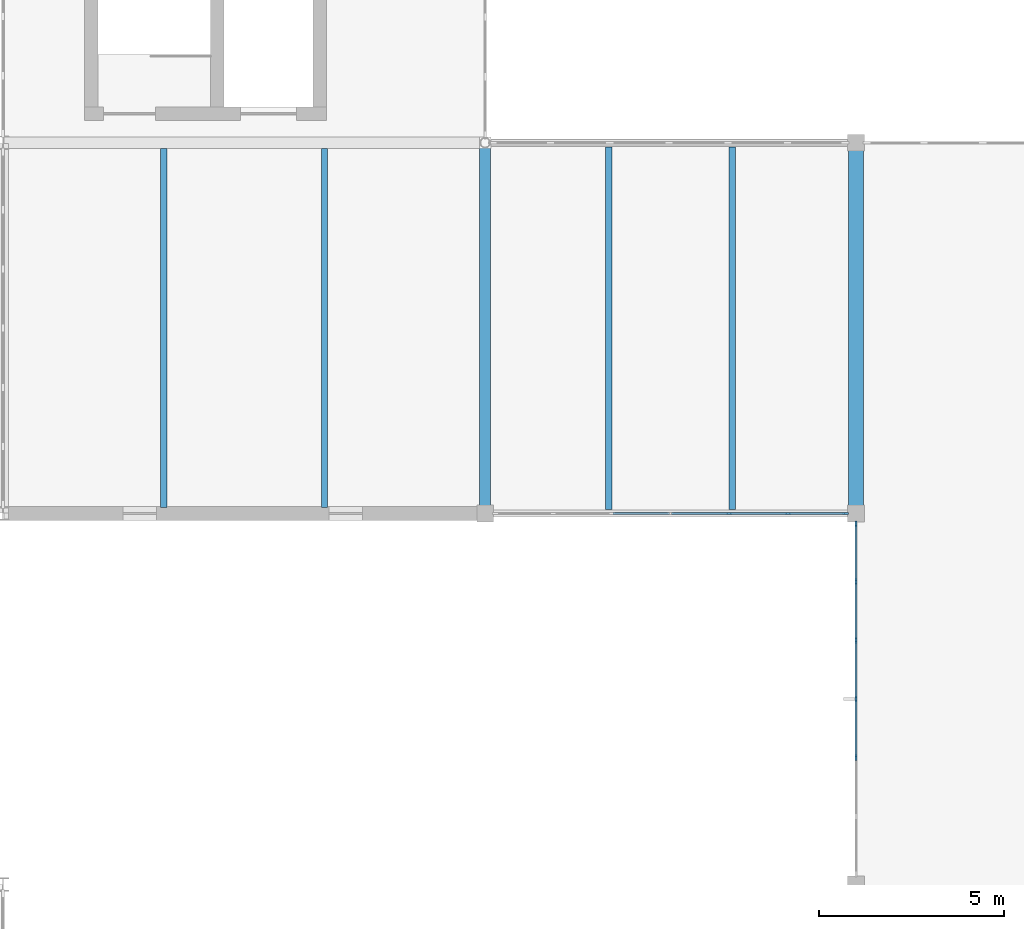
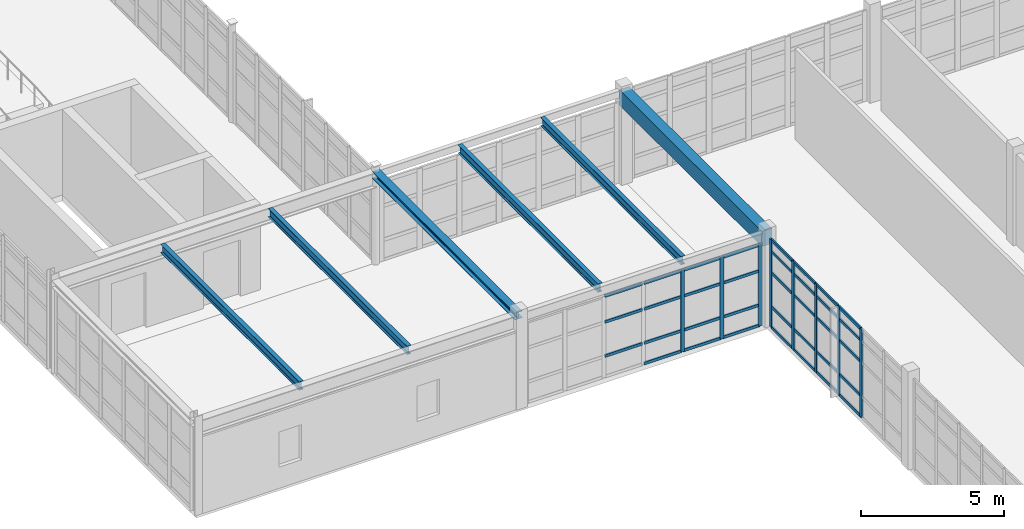
# One storey, part 64 of 122: 43 members, 6 beams, 2 elements without a shape of their own.
"""IFC4 building model written with IfcOpenShell, lengths in metres."""

import ifcopenshell
import ifcopenshell.guid

model = None  # the IFC model being written
_history = None  # IfcOwnerHistory: only IFC2X3 demands one
_inside = {}  # id of a spatial element -> (the spatial element, [elements in it])
_under = {}  # id of a project, library or spatial element -> (it, [spatial elements below it])
_declared = {}  # id of a project -> (the project, [libraries it declares])
_typed = {}  # id of a type object -> (the type object, [elements of that type])
_made_of = {}  # id of a material, layer set ... -> (it, [elements and type objects made of it])


def new_model(schema):
    """Start an empty IFC model of exactly this schema.

    Asked for "IFC4X3", IfcOpenShell would pick the latest addendum, in which some entities
    have other attributes; the version numbers below select the first issue.
    IFC2X3 requires an IfcOwnerHistory on every rooted entity: one is made here for all.
    """
    global model, _history
    if schema == "IFC4X3":
        model = ifcopenshell.file(schema_version=(4, 3, 0, 0))
    else:
        model = ifcopenshell.file(schema=schema)
    _inside.clear()
    _under.clear()
    _declared.clear()
    _typed.clear()
    _made_of.clear()
    _history = None
    if model.schema == "IFC2X3":
        org = make("IfcOrganization", Name="unknown")
        user = make(
            "IfcPersonAndOrganization",
            ThePerson=make("IfcPerson", FamilyName="unknown"),
            TheOrganization=org,
        )
        app = make(
            "IfcApplication",
            ApplicationDeveloper=org,
            Version="unknown",
            ApplicationFullName="unknown",
            ApplicationIdentifier="unknown",
        )
        _history = make(
            "IfcOwnerHistory",
            OwningUser=user,
            OwningApplication=app,
            ChangeAction="ADDED",
            CreationDate=0,
        )
    return model


def make(cls, **values):
    """One entity of the class cls with the attributes given. An attribute that is None is left unset."""
    return model.create_entity(
        cls, **{name: value for name, value in values.items() if value is not None}
    )


def rooted(cls, **values):
    """An entity with a GlobalId (a new one), such as an element, a storey or a relation."""
    return make(cls, GlobalId=ifcopenshell.guid.new(), OwnerHistory=_history, **values)


def si_unit(unit_type, name, prefix=None):
    """IfcSIUnit, for example si_unit("LENGTHUNIT", "METRE", prefix="MILLI")."""
    return make("IfcSIUnit", UnitType=unit_type, Prefix=prefix, Name=name)


def assignment(units):
    """IfcUnitAssignment: the units of a project."""
    return None if units is None else make("IfcUnitAssignment", Units=units)


def point(xyz):
    """IfcCartesianPoint."""
    return None if xyz is None else make("IfcCartesianPoint", Coordinates=xyz)


def direction(xyz):
    """IfcDirection."""
    return None if xyz is None else make("IfcDirection", DirectionRatios=xyz)


def frame(location, z_axis=None, x_axis=None):
    """IfcAxis2Placement3D, a coordinate frame: its origin and axes. An axis left out is left unset."""
    return make(
        "IfcAxis2Placement3D",
        Location=point(location),
        Axis=direction(z_axis),
        RefDirection=direction(x_axis),
    )


def frame_2d(location, x_axis=None):
    """IfcAxis2Placement2D, a coordinate frame in the plane: its origin and x axis."""
    return make(
        "IfcAxis2Placement2D", Location=point(location), RefDirection=direction(x_axis)
    )


def origin():
    """The frame at (0, 0, 0) with its axes left unset."""
    return frame((0.0, 0.0, 0.0))


def origin_2d():
    """The frame at (0, 0) in the plane with its x axis left unset."""
    return frame_2d((0.0, 0.0))


def place(relative_to, where):
    """IfcLocalPlacement: puts the frame where relative to a parent placement (None: the world)."""
    return make(
        "IfcLocalPlacement", PlacementRelTo=relative_to, RelativePlacement=where
    )


def context(
    kind, dimensions, precision=None, world=None, true_north=None, identifier=None
):
    """IfcGeometricRepresentationContext, for example the 3D "Model" context."""
    return make(
        "IfcGeometricRepresentationContext",
        ContextIdentifier=identifier,
        ContextType=kind,
        CoordinateSpaceDimension=dimensions,
        Precision=precision,
        WorldCoordinateSystem=world,
        TrueNorth=true_north,
    )


def subcontext(parent, identifier, kind, view, scale=None):
    """IfcGeometricRepresentationSubContext, for example "Body" below "Model"."""
    return make(
        "IfcGeometricRepresentationSubContext",
        ContextIdentifier=identifier,
        ContextType=kind,
        ParentContext=parent,
        TargetScale=scale,
        TargetView=view,
    )


def project(units=None, contexts=None):
    """IfcProject with its units and contexts."""
    return rooted(
        "IfcProject",
        Name="project",
        RepresentationContexts=contexts,
        UnitsInContext=assignment(units),
    )


def spatial(cls, under=None, at=None, **own):
    """A site, building, storey or space (cls), placed at a placement, below another one or the project."""
    s = rooted(cls, ObjectPlacement=at, **own)
    if under is not None:
        _under.setdefault(under.id(), (under, []))[1].append(s)
    return s


def profile(cls, at=None, kind="AREA", **sizes):
    """A parametric profile (cls). Its sizes go by their IFC names, for example OverallWidth=200.0."""
    return make(cls, ProfileType=kind, Position=at, **sizes)


def rectangle(**sizes):
    """IfcRectangleProfileDef."""
    return profile("IfcRectangleProfileDef", **sizes)


def i_section(**sizes):
    """IfcIShapeProfileDef."""
    return profile("IfcIShapeProfileDef", **sizes)


def extrude(swept, where, along, depth):
    """IfcExtrudedAreaSolid: the profile swept, set in the frame where, extruded along a direction by depth."""
    return make(
        "IfcExtrudedAreaSolid",
        SweptArea=swept,
        Position=where,
        ExtrudedDirection=direction(along),
        Depth=depth,
    )


def shape(context_of_items, identifier, shape_type, items):
    """IfcShapeRepresentation: the items that make up one representation, for example the "Body"."""
    return make(
        "IfcShapeRepresentation",
        ContextOfItems=context_of_items,
        RepresentationIdentifier=identifier,
        RepresentationType=shape_type,
        Items=items,
    )


def material(Name=None, Category=None):
    """IfcMaterial."""
    return make("IfcMaterial", Name=Name, Category=Category)


def layer(
    of_material, thickness, ventilated=None, Name=None, Category=None, Priority=None
):
    """IfcMaterialLayer: one layer of a wall or slab, of a material (None: an air gap)."""
    return make(
        "IfcMaterialLayer",
        Material=of_material,
        LayerThickness=thickness,
        IsVentilated=ventilated,
        Name=Name,
        Category=Category,
        Priority=Priority,
    )


def layer_set(layers, Name=None):
    """IfcMaterialLayerSet."""
    return make("IfcMaterialLayerSet", MaterialLayers=layers, LayerSetName=Name)


def material_profile(
    of_material, cross_section, Name=None, Category=None, Priority=None
):
    """IfcMaterialProfile: a cross section and its material."""
    return make(
        "IfcMaterialProfile",
        Name=Name,
        Material=of_material,
        Profile=cross_section,
        Priority=Priority,
        Category=Category,
    )


def profile_set(profiles, Name=None, composite=None):
    """IfcMaterialProfileSet."""
    return make(
        "IfcMaterialProfileSet",
        Name=Name,
        MaterialProfiles=profiles,
        CompositeProfile=composite,
    )


def made_of(thing, what):
    """Note that an element or type object is made of a material, layer set ...; save() writes the relation."""
    if what is not None:
        _made_of.setdefault(what.id(), (what, []))[1].append(thing)
    return thing


def type_object(cls, material=None, **own):
    """A type object (cls), such as IfcWallType, which elements share."""
    return made_of(rooted(cls, **own), material)


def element(
    cls,
    number,
    at=None,
    inside=None,
    cuts=None,
    type_object=None,
    material=None,
    context=None,
    identifier="Body",
    shape_type=None,
    held_by="IfcProductDefinitionShape",
    body=None,
    shapes=None,
    **own,
):
    """One element of the class cls, such as IfcWall. Its Tag is "e" and its number.

    at: its placement. inside: the storey or other place that contains it. cuts: it is an
    opening in that element (IfcRelVoidsElement). A single representation is given by context,
    identifier, shape_type and body (its items); several are given by shapes. held_by: the class
    of the entity that holds the representations. save() writes the other relations.
    """
    e = rooted(cls, Tag="e%d" % number, ObjectPlacement=at, **own)
    if body is not None:
        shapes = [shape(context, identifier, shape_type, body)]
    if shapes is not None:
        e.Representation = make(held_by, Representations=shapes)
    if inside is not None:
        _inside.setdefault(inside.id(), (inside, []))[1].append(e)
    if cuts is not None:
        rooted(
            "IfcRelVoidsElement", RelatingBuildingElement=cuts, RelatedOpeningElement=e
        )
    if type_object is not None:
        _typed.setdefault(type_object.id(), (type_object, []))[1].append(e)
    return made_of(e, material)


def aggregate(whole, parts):
    """IfcRelAggregates: a whole, such as a stair, and the parts it consists of."""
    return rooted("IfcRelAggregates", RelatingObject=whole, RelatedObjects=parts)


def save(model, path):
    """Write the relations noted so far, then the file.

    IfcRelAggregates (storeys below a building ...), IfcRelContainedInSpatialStructure (elements
    in a storey), IfcRelDefinesByType, IfcRelAssociatesMaterial and IfcRelDeclares: one each for
    every whole, place, type object, material and project.
    """
    for whole, parts in _under.values():
        aggregate(whole, parts)
    for where, things in _inside.values():
        rooted(
            "IfcRelContainedInSpatialStructure",
            RelatedElements=things,
            RelatingStructure=where,
        )
    for kind, things in _typed.values():
        rooted("IfcRelDefinesByType", RelatedObjects=things, RelatingType=kind)
    for what, things in _made_of.values():
        rooted("IfcRelAssociatesMaterial", RelatedObjects=things, RelatingMaterial=what)
    for by, libraries in _declared.values():
        rooted("IfcRelDeclares", RelatingContext=by, RelatedDefinitions=libraries)
    model.write(path)


model = new_model("IFC4")

# Units and contexts
model_context = context("Model", 3, precision=1e-05, world=origin(), true_north=direction((0.0, 1.0)))
body_context = subcontext(model_context, "Body", "Model", "MODEL_VIEW")
ifc_project = project(units=[si_unit("LENGTHUNIT", "METRE"), si_unit("AREAUNIT", "SQUARE_METRE"), si_unit("VOLUMEUNIT", "CUBIC_METRE"), si_unit("PLANEANGLEUNIT", "RADIAN"), si_unit("MASSUNIT", "GRAM", prefix="KILO"), si_unit("THERMODYNAMICTEMPERATUREUNIT", "KELVIN"), si_unit("POWERUNIT", "WATT")], contexts=[model_context])

# Site, building, storey
site_placement = place(None, origin())
site = spatial("IfcSite", under=ifc_project, at=site_placement, CompositionType="ELEMENT")
building_placement = place(site_placement, origin())
building = spatial("IfcBuilding", under=site, at=building_placement, Name="Korenveer Ferry Terminal", CompositionType="ELEMENT")
storey_placement = place(building_placement, frame((0.0, 0.0, 10.199951171875)))
storey = spatial("IfcBuildingStorey", under=building, at=storey_placement, Name="L02", CompositionType="ELEMENT", Elevation=10.199951171875)

# Curtain wall, members
ifc_material_1 = material(Name="Unitised bronze-and-glass curtain wall", Category="glass")
ifc_layer_1 = layer(ifc_material_1, 0.159912109375)
ifc_layer_set_1 = layer_set([ifc_layer_1], Name="Unitised bronze-and-glass curtain wall")
curtain_wall_type_1 = type_object("IfcCurtainWallType", Name="ENV-CW-89", PredefinedType="USERDEFINED", material=ifc_layer_set_1)
curtain_wall_1_placement = place(storey_placement, frame((136.2548828125, 70.0, 0.0)))
curtain_wall_1 = element("IfcCurtainWall", 1, at=curtain_wall_1_placement, inside=storey, type_object=curtain_wall_type_1, Name="Lancet curtain wall CWX-L02-X136-146-Y70-70", ObjectType="UNITISED CURTAIN WALL", PredefinedType="USERDEFINED")
ifc_material_2 = material(Name="Anodised bronze aluminium", Category="aluminium")
ifc_material_profile_1 = material_profile(ifc_material_2, rectangle(XDim=0.06005859375, YDim=0.159912109375, at=origin_2d()), Name="ALU 60x160")
ifc_profile_set_1 = profile_set([ifc_material_profile_1], Name="Anodised bronze aluminium")
member_type_1 = type_object("IfcMemberType", Name="ENV-CWM-60X160", PredefinedType="MULLION", material=ifc_profile_set_1)
member_1_placement = place(storey_placement, frame((142.581787109375, 70.0, 0.0), z_axis=(0.0, 0.0, 1.0), x_axis=(0.0, 1.0, 0.0)))
member_1 = element("IfcMember", 2, at=member_1_placement, type_object=member_type_1, Name="CW-89 mullion 5", PredefinedType="MULLION", context=body_context, shape_type="SweptSolid", body=[
    extrude(rectangle(XDim=0.06005859375, YDim=0.159912109375, at=origin_2d()), origin(), (0.0, 0.0, 1.0), 3.47998046875),
])
member_2_placement = place(storey_placement, frame((144.163330078125, 70.0, 0.0), z_axis=(0.0, 0.0, 1.0), x_axis=(0.0, 1.0, 0.0)))
member_2 = element("IfcMember", 3, at=member_2_placement, type_object=member_type_1, Name="CW-89 mullion 6", PredefinedType="MULLION", context=body_context, shape_type="SweptSolid", body=[
    extrude(rectangle(XDim=0.06005859375, YDim=0.159912109375, at=origin_2d()), origin(), (0.0, 0.0, 1.0), 3.47998046875),
])
member_3_placement = place(storey_placement, frame((145.715087890625, 70.0, 0.0), z_axis=(0.0, 0.0, 1.0), x_axis=(0.0, 1.0, 0.0)))
member_3 = element("IfcMember", 4, at=member_3_placement, type_object=member_type_1, Name="CW-89 mullion 7", PredefinedType="MULLION", context=body_context, shape_type="SweptSolid", body=[
    extrude(rectangle(XDim=0.06005859375, YDim=0.159912109375, at=origin_2d()), origin(), (0.0, 0.0, 1.0), 3.47998046875),
])

ifc_layer_2 = layer(ifc_material_1, 0.159912109375)
ifc_layer_set_2 = layer_set([ifc_layer_2], Name="Unitised bronze-and-glass curtain wall")
curtain_wall_type_2 = type_object("IfcCurtainWallType", Name="ENV-CW-87", PredefinedType="USERDEFINED", material=ifc_layer_set_2)
curtain_wall_2_placement = place(storey_placement, frame((146.0, 60.2548828125, 0.0)))
curtain_wall_2 = element("IfcCurtainWall", 5, at=curtain_wall_2_placement, inside=storey, type_object=curtain_wall_type_2, Name="Lancet curtain wall CWX-L02-X146-146-Y60-70", ObjectType="UNITISED CURTAIN WALL", PredefinedType="USERDEFINED")
member_4_placement = place(storey_placement, frame((146.0, 63.418212890625, 0.0), z_axis=(0.0, 0.0, 1.0), x_axis=(-1.0, 0.0, 0.0)))
member_4 = element("IfcMember", 6, at=member_4_placement, type_object=member_type_1, Name="CW-87 mullion 3", PredefinedType="MULLION", context=body_context, shape_type="SweptSolid", body=[
    extrude(rectangle(XDim=0.06005859375, YDim=0.159912109375, at=origin_2d()), origin(), (0.0, 0.0, 1.0), 3.760009765625),
])
member_5_placement = place(storey_placement, frame((146.0, 65.0, 0.0), z_axis=(0.0, 0.0, 1.0), x_axis=(-1.0, 0.0, 0.0)))
member_5 = element("IfcMember", 7, at=member_5_placement, type_object=member_type_1, Name="CW-87 mullion 4", PredefinedType="MULLION", context=body_context, shape_type="SweptSolid", body=[
    extrude(rectangle(XDim=0.06005859375, YDim=0.159912109375, at=origin_2d()), origin(), (0.0, 0.0, 1.0), 3.760009765625),
])
member_6_placement = place(storey_placement, frame((146.0, 66.581787109375, 0.0), z_axis=(0.0, 0.0, 1.0), x_axis=(-1.0, 0.0, 0.0)))
member_6 = element("IfcMember", 8, at=member_6_placement, type_object=member_type_1, Name="CW-87 mullion 5", PredefinedType="MULLION", context=body_context, shape_type="SweptSolid", body=[
    extrude(rectangle(XDim=0.06005859375, YDim=0.159912109375, at=origin_2d()), origin(), (0.0, 0.0, 1.0), 3.760009765625),
])
member_7_placement = place(storey_placement, frame((146.0, 68.163330078125, 0.0), z_axis=(0.0, 0.0, 1.0), x_axis=(-1.0, 0.0, 0.0)))
member_7 = element("IfcMember", 9, at=member_7_placement, type_object=member_type_1, Name="CW-87 mullion 6", PredefinedType="MULLION", context=body_context, shape_type="SweptSolid", body=[
    extrude(rectangle(XDim=0.06005859375, YDim=0.159912109375, at=origin_2d()), origin(), (0.0, 0.0, 1.0), 3.760009765625),
])
member_8_placement = place(storey_placement, frame((146.0, 69.715087890625, 0.0), z_axis=(0.0, 0.0, 1.0), x_axis=(-1.0, 0.0, 0.0)))
member_8 = element("IfcMember", 10, at=member_8_placement, type_object=member_type_1, Name="CW-87 mullion 7", PredefinedType="MULLION", context=body_context, shape_type="SweptSolid", body=[
    extrude(rectangle(XDim=0.06005859375, YDim=0.159912109375, at=origin_2d()), origin(), (0.0, 0.0, 1.0), 3.760009765625),
])

# Member
ifc_material_profile_2 = material_profile(ifc_material_2, rectangle(XDim=0.06005859375, YDim=0.1201171875, at=origin_2d()), Name="ALU 60x120")
ifc_profile_set_2 = profile_set([ifc_material_profile_2], Name="Anodised bronze aluminium")
member_type_2 = type_object("IfcMemberType", Name="ENV-CWT-60X120", PredefinedType="USERDEFINED", material=ifc_profile_set_2)
member_9_placement = place(storey_placement, frame((139.4482421875, 70.0, 0.900146484375), z_axis=(1.0, 0.0, 0.0), x_axis=(0.0, 1.0, 0.0)))
member_9 = element("IfcMember", 11, at=member_9_placement, type_object=member_type_2, Name="CW-89 transom 3.2", ObjectType="TRANSOM", PredefinedType="USERDEFINED", context=body_context, shape_type="SweptSolid", body=[
    extrude(rectangle(XDim=0.06005859375, YDim=0.1201171875, at=origin_2d()), origin(), (0.0, 0.0, 1.0), 1.521728515625),
])

member_10_placement = place(storey_placement, frame((139.4482421875, 70.0, 2.35009765625), z_axis=(1.0, 0.0, 0.0), x_axis=(0.0, 1.0, 0.0)))
member_10 = element("IfcMember", 12, at=member_10_placement, type_object=member_type_2, Name="CW-89 transom 3.3", ObjectType="TRANSOM", PredefinedType="USERDEFINED", context=body_context, shape_type="SweptSolid", body=[
    extrude(rectangle(XDim=0.06005859375, YDim=0.1201171875, at=origin_2d()), origin(), (0.0, 0.0, 1.0), 1.521728515625),
])

member_11_placement = place(storey_placement, frame((139.4482421875, 70.0, 3.449951171875), z_axis=(1.0, 0.0, 0.0), x_axis=(0.0, 1.0, 0.0)))
member_11 = element("IfcMember", 13, at=member_11_placement, type_object=member_type_2, Name="CW-89 transom 3.4", ObjectType="TRANSOM", PredefinedType="USERDEFINED", context=body_context, shape_type="SweptSolid", body=[
    extrude(rectangle(XDim=0.06005859375, YDim=0.1201171875, at=origin_2d()), origin(), (0.0, 0.0, 1.0), 1.521728515625),
])

member_12_placement = place(storey_placement, frame((141.030029296875, 70.0, 0.030029296875), z_axis=(1.0, 0.0, 0.0), x_axis=(0.0, 1.0, 0.0)))
member_12 = element("IfcMember", 14, at=member_12_placement, type_object=member_type_2, Name="CW-89 transom 4.1", ObjectType="TRANSOM", PredefinedType="USERDEFINED", context=body_context, shape_type="SweptSolid", body=[
    extrude(rectangle(XDim=0.06005859375, YDim=0.1201171875, at=origin_2d()), origin(), (0.0, 0.0, 1.0), 1.521728515625),
])

member_13_placement = place(storey_placement, frame((141.030029296875, 70.0, 0.900146484375), z_axis=(1.0, 0.0, 0.0), x_axis=(0.0, 1.0, 0.0)))
member_13 = element("IfcMember", 15, at=member_13_placement, type_object=member_type_2, Name="CW-89 transom 4.2", ObjectType="TRANSOM", PredefinedType="USERDEFINED", context=body_context, shape_type="SweptSolid", body=[
    extrude(rectangle(XDim=0.06005859375, YDim=0.1201171875, at=origin_2d()), origin(), (0.0, 0.0, 1.0), 1.521728515625),
])

member_14_placement = place(storey_placement, frame((141.030029296875, 70.0, 2.35009765625), z_axis=(1.0, 0.0, 0.0), x_axis=(0.0, 1.0, 0.0)))
member_14 = element("IfcMember", 16, at=member_14_placement, type_object=member_type_2, Name="CW-89 transom 4.3", ObjectType="TRANSOM", PredefinedType="USERDEFINED", context=body_context, shape_type="SweptSolid", body=[
    extrude(rectangle(XDim=0.06005859375, YDim=0.1201171875, at=origin_2d()), origin(), (0.0, 0.0, 1.0), 1.521728515625),
])

member_15_placement = place(storey_placement, frame((141.030029296875, 70.0, 3.449951171875), z_axis=(1.0, 0.0, 0.0), x_axis=(0.0, 1.0, 0.0)))
member_15 = element("IfcMember", 17, at=member_15_placement, type_object=member_type_2, Name="CW-89 transom 4.4", ObjectType="TRANSOM", PredefinedType="USERDEFINED", context=body_context, shape_type="SweptSolid", body=[
    extrude(rectangle(XDim=0.06005859375, YDim=0.1201171875, at=origin_2d()), origin(), (0.0, 0.0, 1.0), 1.521728515625),
])

member_16_placement = place(storey_placement, frame((142.611572265625, 70.0, 0.030029296875), z_axis=(1.0, 0.0, 0.0), x_axis=(0.0, 1.0, 0.0)))
member_16 = element("IfcMember", 18, at=member_16_placement, type_object=member_type_2, Name="CW-89 transom 5.1", ObjectType="TRANSOM", PredefinedType="USERDEFINED", context=body_context, shape_type="SweptSolid", body=[
    extrude(rectangle(XDim=0.06005859375, YDim=0.1201171875, at=origin_2d()), origin(), (0.0, 0.0, 1.0), 1.521728515625),
])

member_17_placement = place(storey_placement, frame((142.611572265625, 70.0, 0.900146484375), z_axis=(1.0, 0.0, 0.0), x_axis=(0.0, 1.0, 0.0)))
member_17 = element("IfcMember", 19, at=member_17_placement, type_object=member_type_2, Name="CW-89 transom 5.2", ObjectType="TRANSOM", PredefinedType="USERDEFINED", context=body_context, shape_type="SweptSolid", body=[
    extrude(rectangle(XDim=0.06005859375, YDim=0.1201171875, at=origin_2d()), origin(), (0.0, 0.0, 1.0), 1.521728515625),
])

member_18_placement = place(storey_placement, frame((142.611572265625, 70.0, 2.35009765625), z_axis=(1.0, 0.0, 0.0), x_axis=(0.0, 1.0, 0.0)))
member_18 = element("IfcMember", 20, at=member_18_placement, type_object=member_type_2, Name="CW-89 transom 5.3", ObjectType="TRANSOM", PredefinedType="USERDEFINED", context=body_context, shape_type="SweptSolid", body=[
    extrude(rectangle(XDim=0.06005859375, YDim=0.1201171875, at=origin_2d()), origin(), (0.0, 0.0, 1.0), 1.521728515625),
])

member_19_placement = place(storey_placement, frame((142.611572265625, 70.0, 3.449951171875), z_axis=(1.0, 0.0, 0.0), x_axis=(0.0, 1.0, 0.0)))
member_19 = element("IfcMember", 21, at=member_19_placement, type_object=member_type_2, Name="CW-89 transom 5.4", ObjectType="TRANSOM", PredefinedType="USERDEFINED", context=body_context, shape_type="SweptSolid", body=[
    extrude(rectangle(XDim=0.06005859375, YDim=0.1201171875, at=origin_2d()), origin(), (0.0, 0.0, 1.0), 1.521728515625),
])

member_20_placement = place(storey_placement, frame((144.193359375, 70.0, 0.030029296875), z_axis=(1.0, 0.0, 0.0), x_axis=(0.0, 1.0, 0.0)))
member_20 = element("IfcMember", 22, at=member_20_placement, type_object=member_type_2, Name="CW-89 transom 6.1", ObjectType="TRANSOM", PredefinedType="USERDEFINED", context=body_context, shape_type="SweptSolid", body=[
    extrude(rectangle(XDim=0.06005859375, YDim=0.1201171875, at=origin_2d()), origin(), (0.0, 0.0, 1.0), 1.49169921875),
])

member_21_placement = place(storey_placement, frame((144.193359375, 70.0, 0.900146484375), z_axis=(1.0, 0.0, 0.0), x_axis=(0.0, 1.0, 0.0)))
member_21 = element("IfcMember", 23, at=member_21_placement, type_object=member_type_2, Name="CW-89 transom 6.2", ObjectType="TRANSOM", PredefinedType="USERDEFINED", context=body_context, shape_type="SweptSolid", body=[
    extrude(rectangle(XDim=0.06005859375, YDim=0.1201171875, at=origin_2d()), origin(), (0.0, 0.0, 1.0), 1.49169921875),
])

member_22_placement = place(storey_placement, frame((144.193359375, 70.0, 2.35009765625), z_axis=(1.0, 0.0, 0.0), x_axis=(0.0, 1.0, 0.0)))
member_22 = element("IfcMember", 24, at=member_22_placement, type_object=member_type_2, Name="CW-89 transom 6.3", ObjectType="TRANSOM", PredefinedType="USERDEFINED", context=body_context, shape_type="SweptSolid", body=[
    extrude(rectangle(XDim=0.06005859375, YDim=0.1201171875, at=origin_2d()), origin(), (0.0, 0.0, 1.0), 1.49169921875),
])

member_23_placement = place(storey_placement, frame((144.193359375, 70.0, 3.449951171875), z_axis=(1.0, 0.0, 0.0), x_axis=(0.0, 1.0, 0.0)))
member_23 = element("IfcMember", 25, at=member_23_placement, type_object=member_type_2, Name="CW-89 transom 6.4", ObjectType="TRANSOM", PredefinedType="USERDEFINED", context=body_context, shape_type="SweptSolid", body=[
    extrude(rectangle(XDim=0.06005859375, YDim=0.1201171875, at=origin_2d()), origin(), (0.0, 0.0, 1.0), 1.49169921875),
])

aggregate(curtain_wall_1, [member_1, member_2, member_3, member_9, member_10, member_11, member_12, member_13, member_14, member_15, member_16, member_17, member_18, member_19, member_20, member_21, member_22, member_23])

member_24_placement = place(storey_placement, frame((146.0, 63.4482421875, 0.030029296875), z_axis=(0.0, 1.0, 0.0), x_axis=(-1.0, 0.0, 0.0)))
member_24 = element("IfcMember", 26, at=member_24_placement, type_object=member_type_2, Name="CW-87 transom 3.1", ObjectType="TRANSOM", PredefinedType="USERDEFINED", context=body_context, shape_type="SweptSolid", body=[
    extrude(rectangle(XDim=0.06005859375, YDim=0.1201171875, at=origin_2d()), origin(), (0.0, 0.0, 1.0), 1.521728515625),
])

member_25_placement = place(storey_placement, frame((146.0, 63.4482421875, 0.900146484375), z_axis=(0.0, 1.0, 0.0), x_axis=(-1.0, 0.0, 0.0)))
member_25 = element("IfcMember", 27, at=member_25_placement, type_object=member_type_2, Name="CW-87 transom 3.2", ObjectType="TRANSOM", PredefinedType="USERDEFINED", context=body_context, shape_type="SweptSolid", body=[
    extrude(rectangle(XDim=0.06005859375, YDim=0.1201171875, at=origin_2d()), origin(), (0.0, 0.0, 1.0), 1.521728515625),
])

member_26_placement = place(storey_placement, frame((146.0, 63.4482421875, 2.35009765625), z_axis=(0.0, 1.0, 0.0), x_axis=(-1.0, 0.0, 0.0)))
member_26 = element("IfcMember", 28, at=member_26_placement, type_object=member_type_2, Name="CW-87 transom 3.3", ObjectType="TRANSOM", PredefinedType="USERDEFINED", context=body_context, shape_type="SweptSolid", body=[
    extrude(rectangle(XDim=0.06005859375, YDim=0.1201171875, at=origin_2d()), origin(), (0.0, 0.0, 1.0), 1.521728515625),
])

member_27_placement = place(storey_placement, frame((146.0, 63.4482421875, 3.25), z_axis=(0.0, 1.0, 0.0), x_axis=(-1.0, 0.0, 0.0)))
member_27 = element("IfcMember", 29, at=member_27_placement, type_object=member_type_2, Name="CW-87 transom 3.4", ObjectType="TRANSOM", PredefinedType="USERDEFINED", context=body_context, shape_type="SweptSolid", body=[
    extrude(rectangle(XDim=0.06005859375, YDim=0.1201171875, at=origin_2d()), origin(), (0.0, 0.0, 1.0), 1.521728515625),
])

member_28_placement = place(storey_placement, frame((146.0, 63.4482421875, 3.72998046875), z_axis=(0.0, 1.0, 0.0), x_axis=(-1.0, 0.0, 0.0)))
member_28 = element("IfcMember", 30, at=member_28_placement, type_object=member_type_2, Name="CW-87 transom 3.5", ObjectType="TRANSOM", PredefinedType="USERDEFINED", context=body_context, shape_type="SweptSolid", body=[
    extrude(rectangle(XDim=0.06005859375, YDim=0.1201171875, at=origin_2d()), origin(), (0.0, 0.0, 1.0), 1.521728515625),
])

member_29_placement = place(storey_placement, frame((146.0, 65.030029296875, 0.030029296875), z_axis=(0.0, 1.0, 0.0), x_axis=(-1.0, 0.0, 0.0)))
member_29 = element("IfcMember", 31, at=member_29_placement, type_object=member_type_2, Name="CW-87 transom 4.1", ObjectType="TRANSOM", PredefinedType="USERDEFINED", context=body_context, shape_type="SweptSolid", body=[
    extrude(rectangle(XDim=0.06005859375, YDim=0.1201171875, at=origin_2d()), origin(), (0.0, 0.0, 1.0), 1.521728515625),
])

member_30_placement = place(storey_placement, frame((146.0, 65.030029296875, 0.900146484375), z_axis=(0.0, 1.0, 0.0), x_axis=(-1.0, 0.0, 0.0)))
member_30 = element("IfcMember", 32, at=member_30_placement, type_object=member_type_2, Name="CW-87 transom 4.2", ObjectType="TRANSOM", PredefinedType="USERDEFINED", context=body_context, shape_type="SweptSolid", body=[
    extrude(rectangle(XDim=0.06005859375, YDim=0.1201171875, at=origin_2d()), origin(), (0.0, 0.0, 1.0), 1.521728515625),
])

member_31_placement = place(storey_placement, frame((146.0, 65.030029296875, 2.35009765625), z_axis=(0.0, 1.0, 0.0), x_axis=(-1.0, 0.0, 0.0)))
member_31 = element("IfcMember", 33, at=member_31_placement, type_object=member_type_2, Name="CW-87 transom 4.3", ObjectType="TRANSOM", PredefinedType="USERDEFINED", context=body_context, shape_type="SweptSolid", body=[
    extrude(rectangle(XDim=0.06005859375, YDim=0.1201171875, at=origin_2d()), origin(), (0.0, 0.0, 1.0), 1.521728515625),
])

member_32_placement = place(storey_placement, frame((146.0, 65.030029296875, 3.25), z_axis=(0.0, 1.0, 0.0), x_axis=(-1.0, 0.0, 0.0)))
member_32 = element("IfcMember", 34, at=member_32_placement, type_object=member_type_2, Name="CW-87 transom 4.4", ObjectType="TRANSOM", PredefinedType="USERDEFINED", context=body_context, shape_type="SweptSolid", body=[
    extrude(rectangle(XDim=0.06005859375, YDim=0.1201171875, at=origin_2d()), origin(), (0.0, 0.0, 1.0), 1.521728515625),
])

member_33_placement = place(storey_placement, frame((146.0, 65.030029296875, 3.72998046875), z_axis=(0.0, 1.0, 0.0), x_axis=(-1.0, 0.0, 0.0)))
member_33 = element("IfcMember", 35, at=member_33_placement, type_object=member_type_2, Name="CW-87 transom 4.5", ObjectType="TRANSOM", PredefinedType="USERDEFINED", context=body_context, shape_type="SweptSolid", body=[
    extrude(rectangle(XDim=0.06005859375, YDim=0.1201171875, at=origin_2d()), origin(), (0.0, 0.0, 1.0), 1.521728515625),
])

member_34_placement = place(storey_placement, frame((146.0, 66.611572265625, 0.030029296875), z_axis=(0.0, 1.0, 0.0), x_axis=(-1.0, 0.0, 0.0)))
member_34 = element("IfcMember", 36, at=member_34_placement, type_object=member_type_2, Name="CW-87 transom 5.1", ObjectType="TRANSOM", PredefinedType="USERDEFINED", context=body_context, shape_type="SweptSolid", body=[
    extrude(rectangle(XDim=0.06005859375, YDim=0.1201171875, at=origin_2d()), origin(), (0.0, 0.0, 1.0), 1.521728515625),
])

member_35_placement = place(storey_placement, frame((146.0, 66.611572265625, 0.900146484375), z_axis=(0.0, 1.0, 0.0), x_axis=(-1.0, 0.0, 0.0)))
member_35 = element("IfcMember", 37, at=member_35_placement, type_object=member_type_2, Name="CW-87 transom 5.2", ObjectType="TRANSOM", PredefinedType="USERDEFINED", context=body_context, shape_type="SweptSolid", body=[
    extrude(rectangle(XDim=0.06005859375, YDim=0.1201171875, at=origin_2d()), origin(), (0.0, 0.0, 1.0), 1.521728515625),
])

member_36_placement = place(storey_placement, frame((146.0, 66.611572265625, 2.35009765625), z_axis=(0.0, 1.0, 0.0), x_axis=(-1.0, 0.0, 0.0)))
member_36 = element("IfcMember", 38, at=member_36_placement, type_object=member_type_2, Name="CW-87 transom 5.3", ObjectType="TRANSOM", PredefinedType="USERDEFINED", context=body_context, shape_type="SweptSolid", body=[
    extrude(rectangle(XDim=0.06005859375, YDim=0.1201171875, at=origin_2d()), origin(), (0.0, 0.0, 1.0), 1.521728515625),
])

member_37_placement = place(storey_placement, frame((146.0, 66.611572265625, 3.25), z_axis=(0.0, 1.0, 0.0), x_axis=(-1.0, 0.0, 0.0)))
member_37 = element("IfcMember", 39, at=member_37_placement, type_object=member_type_2, Name="CW-87 transom 5.4", ObjectType="TRANSOM", PredefinedType="USERDEFINED", context=body_context, shape_type="SweptSolid", body=[
    extrude(rectangle(XDim=0.06005859375, YDim=0.1201171875, at=origin_2d()), origin(), (0.0, 0.0, 1.0), 1.521728515625),
])

member_38_placement = place(storey_placement, frame((146.0, 66.611572265625, 3.72998046875), z_axis=(0.0, 1.0, 0.0), x_axis=(-1.0, 0.0, 0.0)))
member_38 = element("IfcMember", 40, at=member_38_placement, type_object=member_type_2, Name="CW-87 transom 5.5", ObjectType="TRANSOM", PredefinedType="USERDEFINED", context=body_context, shape_type="SweptSolid", body=[
    extrude(rectangle(XDim=0.06005859375, YDim=0.1201171875, at=origin_2d()), origin(), (0.0, 0.0, 1.0), 1.521728515625),
])

member_39_placement = place(storey_placement, frame((146.0, 68.193359375, 0.030029296875), z_axis=(0.0, 1.0, 0.0), x_axis=(-1.0, 0.0, 0.0)))
member_39 = element("IfcMember", 41, at=member_39_placement, type_object=member_type_2, Name="CW-87 transom 6.1", ObjectType="TRANSOM", PredefinedType="USERDEFINED", context=body_context, shape_type="SweptSolid", body=[
    extrude(rectangle(XDim=0.06005859375, YDim=0.1201171875, at=origin_2d()), origin(), (0.0, 0.0, 1.0), 1.49169921875),
])

member_40_placement = place(storey_placement, frame((146.0, 68.193359375, 0.900146484375), z_axis=(0.0, 1.0, 0.0), x_axis=(-1.0, 0.0, 0.0)))
member_40 = element("IfcMember", 42, at=member_40_placement, type_object=member_type_2, Name="CW-87 transom 6.2", ObjectType="TRANSOM", PredefinedType="USERDEFINED", context=body_context, shape_type="SweptSolid", body=[
    extrude(rectangle(XDim=0.06005859375, YDim=0.1201171875, at=origin_2d()), origin(), (0.0, 0.0, 1.0), 1.49169921875),
])

member_41_placement = place(storey_placement, frame((146.0, 68.193359375, 2.35009765625), z_axis=(0.0, 1.0, 0.0), x_axis=(-1.0, 0.0, 0.0)))
member_41 = element("IfcMember", 43, at=member_41_placement, type_object=member_type_2, Name="CW-87 transom 6.3", ObjectType="TRANSOM", PredefinedType="USERDEFINED", context=body_context, shape_type="SweptSolid", body=[
    extrude(rectangle(XDim=0.06005859375, YDim=0.1201171875, at=origin_2d()), origin(), (0.0, 0.0, 1.0), 1.49169921875),
])

member_42_placement = place(storey_placement, frame((146.0, 68.193359375, 3.25), z_axis=(0.0, 1.0, 0.0), x_axis=(-1.0, 0.0, 0.0)))
member_42 = element("IfcMember", 44, at=member_42_placement, type_object=member_type_2, Name="CW-87 transom 6.4", ObjectType="TRANSOM", PredefinedType="USERDEFINED", context=body_context, shape_type="SweptSolid", body=[
    extrude(rectangle(XDim=0.06005859375, YDim=0.1201171875, at=origin_2d()), origin(), (0.0, 0.0, 1.0), 1.49169921875),
])

member_43_placement = place(storey_placement, frame((146.0, 68.193359375, 3.72998046875), z_axis=(0.0, 1.0, 0.0), x_axis=(-1.0, 0.0, 0.0)))
member_43 = element("IfcMember", 45, at=member_43_placement, type_object=member_type_2, Name="CW-87 transom 6.5", ObjectType="TRANSOM", PredefinedType="USERDEFINED", context=body_context, shape_type="SweptSolid", body=[
    extrude(rectangle(XDim=0.06005859375, YDim=0.1201171875, at=origin_2d()), origin(), (0.0, 0.0, 1.0), 1.49169921875),
])

aggregate(curtain_wall_2, [member_4, member_5, member_6, member_7, member_8, member_24, member_25, member_26, member_27, member_28, member_29, member_30, member_31, member_32, member_33, member_34, member_35, member_36, member_37, member_38, member_39, member_40, member_41, member_42, member_43])

# Beams
ifc_material_3 = material(Name="Steel S355", Category="steel")
ifc_material_profile_3 = material_profile(ifc_material_3, i_section(OverallWidth=0.300048828125, OverallDepth=0.2900390625, WebThickness=0.008544921875, FlangeThickness=0.013916015625, FilletRadius=0.027099609375, at=origin_2d()), Name="HEA 300")
ifc_profile_set_3 = profile_set([ifc_material_profile_3], Name="Steel S355")
beam_type_1 = type_object("IfcBeamType", Name="STR-BM-HEA300", PredefinedType="BEAM", material=ifc_profile_set_3)
beam_1_placement = place(storey_placement, frame((136.0, 70.02001953125, 3.81494140625), z_axis=(0.0, 1.0, 0.0), x_axis=(-1.0, 0.0, 0.0)))
element("IfcBeam", 46, at=beam_1_placement, inside=storey, type_object=beam_type_1, Name="Primary Y girder BMY-L03-X136-Y70-80", PredefinedType="BEAM", context=body_context, shape_type="SweptSolid", body=[
    extrude(i_section(OverallWidth=0.300048828125, OverallDepth=0.2900390625, WebThickness=0.008544921875, FlangeThickness=0.013916015625, FilletRadius=0.027099609375, at=origin_2d()), origin(), (0.0, 0.0, 1.0), 9.9599609375),
])
ifc_material_4 = material(Name="Concrete C40/50", Category="concrete")
ifc_material_profile_4 = material_profile(ifc_material_4, rectangle(XDim=0.39990234375, YDim=0.64990234375, at=origin_2d()), Name="RC 400x650")
ifc_profile_set_4 = profile_set([ifc_material_profile_4], Name="Concrete C40/50")
beam_type_2 = type_object("IfcBeamType", Name="STR-BM-RC400X650", PredefinedType="BEAM", material=ifc_profile_set_4)
beam_2_placement = place(storey_placement, frame((146.0, 70.02001953125, 3.635009765625), z_axis=(0.0, 1.0, 0.0), x_axis=(-1.0, 0.0, 0.0)))
element("IfcBeam", 47, at=beam_2_placement, inside=storey, type_object=beam_type_2, Name="Primary Y girder BMY-L03-X146-Y70-80", PredefinedType="BEAM", context=body_context, shape_type="SweptSolid", body=[
    extrude(rectangle(XDim=0.39990234375, YDim=0.64990234375, at=origin_2d()), origin(), (0.0, 0.0, 1.0), 9.9599609375),
])
ifc_material_profile_5 = material_profile(ifc_material_3, i_section(OverallWidth=0.169921875, OverallDepth=0.360107421875, WebThickness=0.008056640625, FlangeThickness=0.0126953125, FilletRadius=0.01806640625, at=origin_2d()), Name="IPE 360")
ifc_profile_set_5 = profile_set([ifc_material_profile_5], Name="Steel S355")
beam_type_3 = type_object("IfcBeamType", Name="STR-JST-IPE360", PredefinedType="JOIST", material=ifc_profile_set_5)
for number, where, z_axis, x_axis, name in (
    (48, (127.333251953125, 70.159912109375, 3.780029296875), (0.0, 1.0, 0.0), (-1.0, 0.0, 0.0), "Secondary composite joist JST-L03-X1273-Y70-80"),
    (49, (131.666748046875, 70.159912109375, 3.780029296875), (0.0, 1.0, 0.0), (-1.0, 0.0, 0.0), "Secondary composite joist JST-L03-X1317-Y70-80"),
):
    element("IfcBeam", number, at=place(storey_placement, frame(where, z_axis=z_axis, x_axis=x_axis)), inside=storey, type_object=beam_type_3, Name=name, PredefinedType="JOIST", context=body_context, shape_type="SweptSolid", body=[
        extrude(i_section(OverallWidth=0.169921875, OverallDepth=0.360107421875, WebThickness=0.008056640625, FlangeThickness=0.0126953125, FilletRadius=0.01806640625, at=origin_2d()), origin(), (0.0, 0.0, 1.0), 9.68017578125),
    ])
for number, where, z_axis, x_axis, name in (
    (50, (139.333251953125, 70.10498046875, 3.780029296875), (0.0, 1.0, 0.0), (-1.0, 0.0, 0.0), "Secondary composite joist JST-L03-X1393-Y70-80"),
    (51, (142.666748046875, 70.10498046875, 3.780029296875), (0.0, 1.0, 0.0), (-1.0, 0.0, 0.0), "Secondary composite joist JST-L03-X1427-Y70-80"),
):
    element("IfcBeam", number, at=place(storey_placement, frame(where, z_axis=z_axis, x_axis=x_axis)), inside=storey, type_object=beam_type_3, Name=name, PredefinedType="JOIST", context=body_context, shape_type="SweptSolid", body=[
        extrude(i_section(OverallWidth=0.169921875, OverallDepth=0.360107421875, WebThickness=0.008056640625, FlangeThickness=0.0126953125, FilletRadius=0.01806640625, at=origin_2d()), origin(), (0.0, 0.0, 1.0), 9.784912109375),
    ])

save(model, "model.ifc")
